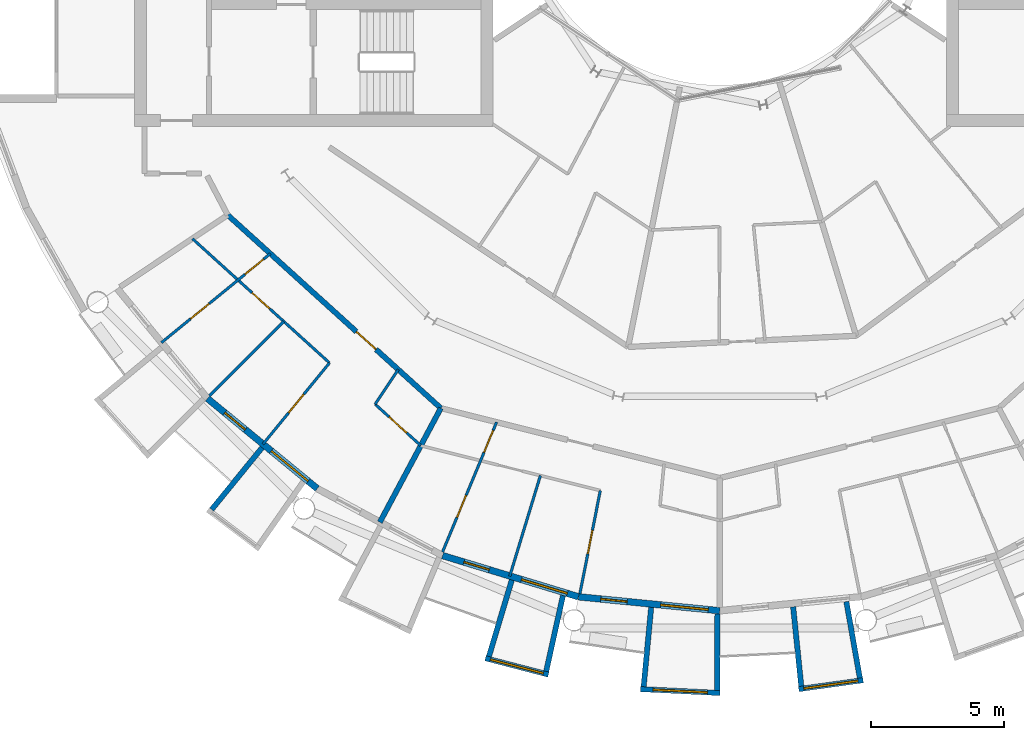
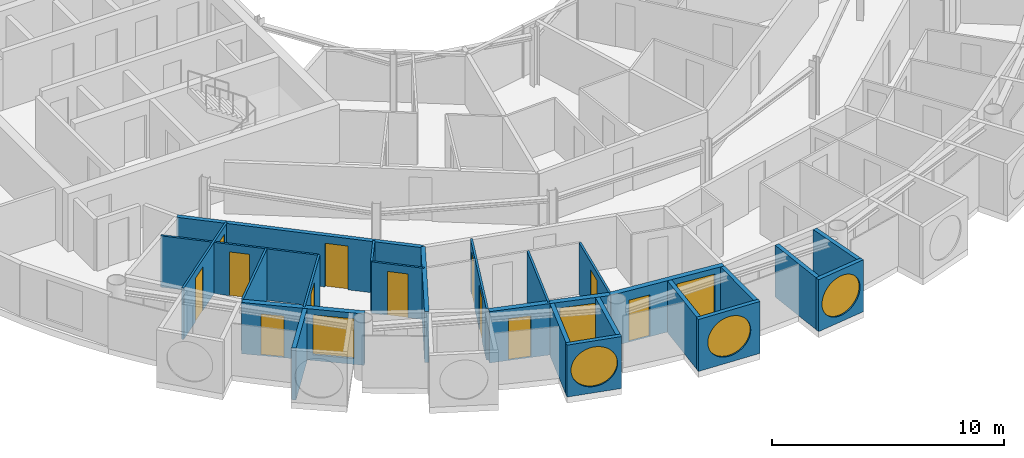
# One storey, part 15 of 29: 24 walls, 12 doors, 6 windows, 18 openings.
"""IFC4 building model written with IfcOpenShell, lengths in metres."""

from ifc_helpers import new_model, si_unit, direction, frame, frame_2d, origin, place, context, subcontext, project, spatial, rectangle, circle, extrude, material, layer, layer_set, type_object, element, fill, save


model = new_model("IFC4")

# Units and contexts
model_context = context("Model", 3, precision=1e-05, world=origin(), true_north=direction((0.0, 1.0)))
body_context = subcontext(model_context, "Body", "Model", "MODEL_VIEW")
ifc_project = project(units=[si_unit("LENGTHUNIT", "METRE"), si_unit("AREAUNIT", "SQUARE_METRE"), si_unit("VOLUMEUNIT", "CUBIC_METRE"), si_unit("PLANEANGLEUNIT", "RADIAN"), si_unit("MASSUNIT", "GRAM", prefix="KILO")], contexts=[model_context])

# Site, building, storey
site_placement = place(None, origin())
site = spatial("IfcSite", under=ifc_project, at=site_placement, CompositionType="ELEMENT")
building_placement = place(site_placement, origin())
building = spatial("IfcBuilding", under=site, at=building_placement, Name="Maasbend Ring Residences", CompositionType="ELEMENT")
storey_placement = place(building_placement, frame((0.0, 0.0, 190.199951171875)))
storey = spatial("IfcBuildingStorey", under=building, at=storey_placement, Name="L54", CompositionType="ELEMENT", Elevation=190.199951171875)

# Wall, opening, door
ifc_material_1 = material(Name="Concrete C30/37", Category="concrete")
ifc_layer_1 = layer(ifc_material_1, 0.199951171875)
ifc_layer_set_1 = layer_set([ifc_layer_1], Name="Concrete C30/37")
wall_type_1 = type_object("IfcWallType", Name="CORRIDOR WALL 200 CONCRETE", PredefinedType="PARTITIONING", material=ifc_layer_set_1)
wall_1_placement = place(storey_placement, frame((-18.5419921875, -12.388916015625, 0.0), z_axis=(0.0, 0.0, 1.0), x_axis=(0.74093897184, -0.671572363941, 0.0)))
wall_1 = element("IfcWall", 1, at=wall_1_placement, inside=storey, type_object=wall_type_1, Name="U-L54-w013", PredefinedType="PARTITIONING", context=body_context, shape_type="SweptSolid", body=[
    extrude(rectangle(XDim=10.84033203125, YDim=0.199951171875, at=frame_2d((5.420166015625, 0.0))), origin(), (0.0, 0.0, 1.0), 2.699951171875),
])
opening_1_placement = place(wall_1_placement, frame((6.5439453125, 0.0, 0.0)))
opening_1 = element("IfcOpeningElement", 2, at=opening_1_placement, cuts=wall_1, Name="Opening D-5436", PredefinedType="OPENING", context=body_context, shape_type="SweptSolid", body=[
    extrude(rectangle(XDim=1.0, YDim=2.300048828125, at=frame_2d((0.5, 1.14990234375))), frame((0.0, 0.10986328125, 0.0), z_axis=(0.0, -1.0, 0.0), x_axis=(1.0, 0.0, 0.0)), (0.0, 0.0, 1.0), 0.219970703125),
])
ifc_material_2 = material(Name="Timber, fire-rated, painted", Category="wood")
door_type_1 = type_object("IfcDoorType", Name="FLAT ENTRANCE DOOR 1000 X 2300 FIRE-RATED", OperationType="NOTDEFINED", PredefinedType="DOOR", material=ifc_material_2)
door_1_placement = place(opening_1_placement, origin())
door_1 = element("IfcDoor", 3, at=door_1_placement, inside=storey, type_object=door_type_1, Name="D-5436", OperationType="SINGLE_SWING_RIGHT", OverallHeight=2.300048828125, OverallWidth=1.0, PredefinedType="DOOR", context=body_context, shape_type="SweptSolid", body=[
    extrude(rectangle(XDim=1.0, YDim=2.300048828125, at=frame_2d((0.5, 1.14990234375))), frame((0.0, 0.02490234375, 0.0), z_axis=(0.0, -1.0, 0.0), x_axis=(1.0, 0.0, 0.0)), (0.0, 0.0, 1.0), 0.050048828125),
])
fill(opening_1, door_1)

# Wall
ifc_material_3 = material(Name="Pale anodised aluminium panel", Category="aluminium")
ifc_layer_2 = layer(ifc_material_3, 0.199951171875)
ifc_layer_set_2 = layer_set([ifc_layer_2], Name="EW-BOX")
wall_type_2 = type_object("IfcWallType", Name="EW-BOX", PredefinedType="SOLIDWALL", material=ifc_layer_set_2)
wall_2_placement = place(storey_placement, frame((-17.24609375, -21.155029296875, -0.030029296875), z_axis=(0.0, 0.0, 1.0), x_axis=(-0.631741648902, -0.775179004516, 0.0)))
element("IfcWall", 4, at=wall_2_placement, inside=storey, type_object=wall_type_2, Name="Box side wall S04 left", PredefinedType="SOLIDWALL", context=body_context, shape_type="SweptSolid", body=[
    extrude(rectangle(XDim=3.005859375, YDim=0.199951171875, at=frame_2d((1.5029296875, 0.0))), origin(), (0.0, 0.0, 1.0), 2.72998046875),
])

# Wall, opening, window
wall_3_placement = place(storey_placement, frame((-8.8291015625, -29.090087890625, -0.030029296875), z_axis=(0.0, 0.0, 1.0), x_axis=(0.96789536872, -0.251353446784, 0.0)))
wall_3 = element("IfcWall", 5, at=wall_3_placement, inside=storey, type_object=wall_type_2, Name="Box front S08", PredefinedType="SOLIDWALL", context=body_context, shape_type="SweptSolid", body=[
    extrude(rectangle(XDim=2.44677734375, YDim=0.199951171875, at=frame_2d((1.223388671875, 0.0))), origin(), (0.0, 0.0, 1.0), 2.72998046875),
])
opening_2_placement = place(wall_3_placement, frame((0.182861328125, 0.0, 0.330078125)))
opening_2 = element("IfcOpeningElement", 6, at=opening_2_placement, cuts=wall_3, Name="Opening W-RD", PredefinedType="OPENING", context=body_context, shape_type="SweptSolid", body=[
    extrude(circle(Radius=1.0400390625, at=frame_2d((1.0400390625, 1.0400390625))), frame((0.0, 0.10986328125, 0.0), z_axis=(0.0, -1.0, 0.0), x_axis=(1.0, 0.0, 0.0)), (0.0, 0.0, 1.0), 0.219970703125),
])
ifc_material_4 = material(Name="Aluminium and clear glass", Category="aluminium")
window_type_1 = type_object("IfcWindowType", Name="W-RD", PartitioningType="SINGLE_PANEL", PredefinedType="WINDOW", material=ifc_material_4)
window_1_placement = place(opening_2_placement, origin())
window_1 = element("IfcWindow", 7, at=window_1_placement, inside=storey, type_object=window_type_1, Name="Round window S08", OverallHeight=2.080078125, OverallWidth=2.080078125, PartitioningType="SINGLE_PANEL", PredefinedType="WINDOW", context=body_context, shape_type="SweptSolid", body=[
    extrude(circle(Radius=1.0400390625, at=frame_2d((1.0400390625, 1.0400390625))), frame((0.0, 0.030029296875, 0.0), z_axis=(0.0, -1.0, 0.0), x_axis=(1.0, 0.0, 0.0)), (0.0, 0.0, 1.0), 0.06005859375),
])
fill(opening_2, window_1)

# Walls
wall_4_placement = place(storey_placement, frame((-7.8369140625, -26.14404296875, -0.030029296875), z_axis=(0.0, 0.0, 1.0), x_axis=(-0.287064767992, -0.957911174889, 0.0)))
element("IfcWall", 8, at=wall_4_placement, inside=storey, type_object=wall_type_2, Name="Box side wall S08 left", PredefinedType="SOLIDWALL", context=body_context, shape_type="SweptSolid", body=[
    extrude(rectangle(XDim=3.00634765625, YDim=0.199951171875, at=frame_2d((1.503173828125, 0.0))), origin(), (0.0, 0.0, 1.0), 2.72998046875),
])
wall_5_placement = place(storey_placement, frame((-5.908935546875, -26.72900390625, -0.030029296875), z_axis=(0.0, 0.0, 1.0), x_axis=(-0.216409053917, -0.976302781612, 0.0)))
element("IfcWall", 9, at=wall_5_placement, inside=storey, type_object=wall_type_2, Name="Box side wall S08 right", PredefinedType="SOLIDWALL", context=body_context, shape_type="SweptSolid", body=[
    extrude(rectangle(XDim=2.92529296875, YDim=0.199951171875, at=frame_2d((1.462646484375, 0.0))), origin(), (0.0, 0.0, 1.0), 2.72998046875),
])

# Wall, opening, window
wall_6_placement = place(storey_placement, frame((-2.985107421875, -30.2529296875, -0.030029296875), z_axis=(0.0, 0.0, 1.0), x_axis=(0.998794083011, -0.049095618353, 0.0)))
wall_6 = element("IfcWall", 10, at=wall_6_placement, inside=storey, type_object=wall_type_2, Name="Box front S10", PredefinedType="SOLIDWALL", context=body_context, shape_type="SweptSolid", body=[
    extrude(rectangle(XDim=2.99365234375, YDim=0.199951171875, at=frame_2d((1.496826171875, 0.0))), origin(), (0.0, 0.0, 1.0), 2.72998046875),
])
opening_3_placement = place(wall_6_placement, frame((0.45654296875, 0.0, 0.330078125)))
opening_3 = element("IfcOpeningElement", 11, at=opening_3_placement, cuts=wall_6, Name="Opening W-RD", PredefinedType="OPENING", context=body_context, shape_type="SweptSolid", body=[
    extrude(circle(Radius=1.0400390625, at=frame_2d((1.0400390625, 1.0400390625))), frame((0.0, 0.10986328125, 0.0), z_axis=(0.0, -1.0, 0.0), x_axis=(1.0, 0.0, 0.0)), (0.0, 0.0, 1.0), 0.219970703125),
])
window_2_placement = place(opening_3_placement, origin())
window_2 = element("IfcWindow", 12, at=window_2_placement, inside=storey, type_object=window_type_1, Name="Round window S10", OverallHeight=2.080078125, OverallWidth=2.080078125, PartitioningType="SINGLE_PANEL", PredefinedType="WINDOW", context=body_context, shape_type="SweptSolid", body=[
    extrude(circle(Radius=1.0400390625, at=frame_2d((1.0400390625, 1.0400390625))), frame((0.0, 0.030029296875, 0.0), z_axis=(0.0, -1.0, 0.0), x_axis=(1.0, 0.0, 0.0)), (0.0, 0.0, 1.0), 0.06005859375),
])
fill(opening_3, window_2)

# Walls
wall_7_placement = place(storey_placement, frame((-2.5859375, -27.1708984375, -0.030029296875), z_axis=(0.0, 0.0, 1.0), x_axis=(-0.094548432284, -0.995520262954, 0.0)))
element("IfcWall", 13, at=wall_7_placement, inside=storey, type_object=wall_type_2, Name="Box side wall S10 left", PredefinedType="SOLIDWALL", context=body_context, shape_type="SweptSolid", body=[
    extrude(rectangle(XDim=3.005615234375, YDim=0.199951171875, at=frame_2d((1.5029296875, 0.0))), origin(), (0.0, 0.0, 1.0), 2.72998046875),
])
wall_8_placement = place(storey_placement, frame((-0.090087890625, -27.4169921875, -0.030029296875), z_axis=(0.0, 0.0, 1.0), x_axis=(-0.00347308367, -0.999993968827, 0.0)))
element("IfcWall", 14, at=wall_8_placement, inside=storey, type_object=wall_type_2, Name="Box side wall S10 right", PredefinedType="SOLIDWALL", context=body_context, shape_type="SweptSolid", body=[
    extrude(rectangle(XDim=2.882080078125, YDim=0.199951171875, at=frame_2d((1.44091796875, 0.0))), origin(), (0.0, 0.0, 1.0), 2.72998046875),
])

# Wall, opening, window
wall_9_placement = place(storey_placement, frame((2.97607421875, -30.25390625, -0.030029296875), z_axis=(0.0, 0.0, 1.0), x_axis=(0.990462016113, 0.137786046596, 0.0)))
wall_9 = element("IfcWall", 15, at=wall_9_placement, inside=storey, type_object=wall_type_2, Name="Box front S12", PredefinedType="SOLIDWALL", context=body_context, shape_type="SweptSolid", body=[
    extrude(rectangle(XDim=2.4453125, YDim=0.199951171875, at=frame_2d((1.22265625, 0.0))), origin(), (0.0, 0.0, 1.0), 2.72998046875),
])
opening_4_placement = place(wall_9_placement, frame((0.182861328125, 0.0, 0.330078125)))
opening_4 = element("IfcOpeningElement", 16, at=opening_4_placement, cuts=wall_9, Name="Opening W-RD", PredefinedType="OPENING", context=body_context, shape_type="SweptSolid", body=[
    extrude(circle(Radius=1.0400390625, at=frame_2d((1.0400390625, 1.0400390625))), frame((0.0, 0.10986328125, 0.0), z_axis=(0.0, -1.0, 0.0), x_axis=(1.0, 0.0, 0.0)), (0.0, 0.0, 1.0), 0.219970703125),
])
window_3_placement = place(opening_4_placement, origin())
window_3 = element("IfcWindow", 17, at=window_3_placement, inside=storey, type_object=window_type_1, Name="Round window S12", OverallHeight=2.080078125, OverallWidth=2.080078125, PartitioningType="SINGLE_PANEL", PredefinedType="WINDOW", context=body_context, shape_type="SweptSolid", body=[
    extrude(circle(Radius=1.0400390625, at=frame_2d((1.0400390625, 1.0400390625))), frame((0.0, 0.030029296875, 0.0), z_axis=(0.0, -1.0, 0.0), x_axis=(1.0, 0.0, 0.0)), (0.0, 0.0, 1.0), 0.06005859375),
])
fill(opening_4, window_3)

# Walls
wall_10_placement = place(storey_placement, frame((2.763916015625, -27.153076171875, -0.030029296875), z_axis=(0.0, 0.0, 1.0), x_axis=(0.101505487237, -0.994834979311, 0.0)))
element("IfcWall", 18, at=wall_10_placement, inside=storey, type_object=wall_type_2, Name="Box side wall S12 left", PredefinedType="SOLIDWALL", context=body_context, shape_type="SweptSolid", body=[
    extrude(rectangle(XDim=3.006591796875, YDim=0.199951171875, at=frame_2d((1.50341796875, 0.0))), origin(), (0.0, 0.0, 1.0), 2.72998046875),
])
wall_11_placement = place(storey_placement, frame((4.76904296875, -26.9560546875, -0.030029296875), z_axis=(0.0, 0.0, 1.0), x_axis=(0.174056778901, -0.984735618183, 0.0)))
element("IfcWall", 19, at=wall_11_placement, inside=storey, type_object=wall_type_2, Name="Box side wall S12 right", PredefinedType="SOLIDWALL", context=body_context, shape_type="SweptSolid", body=[
    extrude(rectangle(XDim=2.924560546875, YDim=0.199951171875, at=frame_2d((1.46240234375, 0.0))), origin(), (0.0, 0.0, 1.0), 2.72998046875),
])

# Wall, openings, door, window
ifc_material_5 = material(Name="Aluminium clad insulated panel", Category="aluminium")
ifc_layer_3 = layer(ifc_material_5, 0.25)
ifc_layer_set_3 = layer_set([ifc_layer_3], Name="EW-GL")
wall_type_3 = type_object("IfcWallType", Name="EW-GL", PredefinedType="SOLIDWALL", material=ifc_layer_set_3)
wall_12_placement = place(storey_placement, frame((-19.303955078125, -19.303955078125, 0.0), z_axis=(0.0, 0.0, 1.0), x_axis=(0.773019449054, -0.634382322723, 0.0)))
wall_12 = element("IfcWall", 20, at=wall_12_placement, inside=storey, type_object=wall_type_3, Name="External wall S02", PredefinedType="SOLIDWALL", context=body_context, shape_type="SweptSolid", body=[
    extrude(rectangle(XDim=5.351806640625, YDim=0.25, at=frame_2d((2.67578125, 0.0))), origin(), (0.0, 0.0, 1.0), 2.699951171875),
])
opening_5_placement = place(wall_12_placement, frame((0.841064453125, 0.0, 0.0)))
opening_5 = element("IfcOpeningElement", 21, at=opening_5_placement, cuts=wall_12, Name="Opening D-LG", PredefinedType="OPENING", context=body_context, shape_type="SweptSolid", body=[
    extrude(rectangle(XDim=1.0, YDim=2.199951171875, at=frame_2d((0.5, 1.10009765625))), frame((0.0, 0.135009765625, 0.0), z_axis=(0.0, -1.0, 0.0), x_axis=(1.0, 0.0, 0.0)), (0.0, 0.0, 1.0), 0.27001953125),
])
opening_6_placement = place(wall_12_placement, frame((3.110595703125, 0.0, 0.300048828125)))
opening_6 = element("IfcOpeningElement", 22, at=opening_6_placement, cuts=wall_12, Name="Opening W-BX", PredefinedType="OPENING", context=body_context, shape_type="SweptSolid", body=[
    extrude(rectangle(XDim=1.800048828125, YDim=2.10009765625, at=frame_2d((0.89990234375, 1.050048828125))), frame((0.0, 0.135009765625, 0.0), z_axis=(0.0, -1.0, 0.0), x_axis=(1.0, 0.0, 0.0)), (0.0, 0.0, 1.0), 0.27001953125),
])
ifc_material_6 = material(Name="Aluminium and clear glass", Category="aluminium")
door_type_2 = type_object("IfcDoorType", Name="D-LG", OperationType="SINGLE_SWING_LEFT", PredefinedType="DOOR", material=ifc_material_6)
door_2_placement = place(opening_5_placement, origin())
door_2 = element("IfcDoor", 23, at=door_2_placement, inside=storey, type_object=door_type_2, Name="Loggia door S03", OperationType="SINGLE_SWING_LEFT", OverallHeight=2.199951171875, OverallWidth=1.0, PredefinedType="DOOR", context=body_context, shape_type="SweptSolid", body=[
    extrude(rectangle(XDim=1.0, YDim=2.199951171875, at=frame_2d((0.5, 1.10009765625))), frame((0.0, 0.02490234375, 0.0), z_axis=(0.0, -1.0, 0.0), x_axis=(1.0, 0.0, 0.0)), (0.0, 0.0, 1.0), 0.050048828125),
])
fill(opening_5, door_2)
ifc_material_7 = material(Name="Aluminium and clear glass", Category="aluminium")
window_type_2 = type_object("IfcWindowType", Name="W-BX", PartitioningType="DOUBLE_PANEL_VERTICAL", PredefinedType="WINDOW", material=ifc_material_7)
window_4_placement = place(opening_6_placement, origin())
window_4 = element("IfcWindow", 24, at=window_4_placement, inside=storey, type_object=window_type_2, Name="Window S04 room to box", OverallHeight=2.10009765625, OverallWidth=1.800048828125, PartitioningType="SINGLE_PANEL", PredefinedType="WINDOW", context=body_context, shape_type="SweptSolid", body=[
    extrude(rectangle(XDim=1.800048828125, YDim=2.10009765625, at=frame_2d((0.89990234375, 1.050048828125))), frame((0.0, 0.030029296875, 0.0), z_axis=(0.0, -1.0, 0.0), x_axis=(1.0, 0.0, 0.0)), (0.0, 0.0, 1.0), 0.06005859375),
])
fill(opening_6, window_4)

wall_13_placement = place(storey_placement, frame((-10.447021484375, -25.221923828125, 0.0), z_axis=(0.0, 0.0, 1.0), x_axis=(0.956965678721, -0.290201119486, 0.0)))
wall_13 = element("IfcWall", 25, at=wall_13_placement, inside=storey, type_object=wall_type_3, Name="External wall S04", PredefinedType="SOLIDWALL", context=body_context, shape_type="SweptSolid", body=[
    extrude(rectangle(XDim=5.351318359375, YDim=0.25, at=frame_2d((2.67578125, 0.0))), origin(), (0.0, 0.0, 1.0), 2.699951171875),
])
opening_7_placement = place(wall_13_placement, frame((0.841064453125, 0.0, 0.0)))
opening_7 = element("IfcOpeningElement", 26, at=opening_7_placement, cuts=wall_13, Name="Opening D-LG", PredefinedType="OPENING", context=body_context, shape_type="SweptSolid", body=[
    extrude(rectangle(XDim=1.0, YDim=2.199951171875, at=frame_2d((0.5, 1.10009765625))), frame((0.0, 0.135009765625, 0.0), z_axis=(0.0, -1.0, 0.0), x_axis=(1.0, 0.0, 0.0)), (0.0, 0.0, 1.0), 0.27001953125),
])
opening_8_placement = place(wall_13_placement, frame((3.110595703125, 0.0, 0.300048828125)))
opening_8 = element("IfcOpeningElement", 27, at=opening_8_placement, cuts=wall_13, Name="Opening W-BX", PredefinedType="OPENING", context=body_context, shape_type="SweptSolid", body=[
    extrude(rectangle(XDim=1.800048828125, YDim=2.10009765625, at=frame_2d((0.89990234375, 1.050048828125))), frame((0.0, 0.135009765625, 0.0), z_axis=(0.0, -1.0, 0.0), x_axis=(1.0, 0.0, 0.0)), (0.0, 0.0, 1.0), 0.27001953125),
])
door_3_placement = place(opening_7_placement, origin())
door_3 = element("IfcDoor", 28, at=door_3_placement, inside=storey, type_object=door_type_2, Name="Loggia door S07", OperationType="SINGLE_SWING_LEFT", OverallHeight=2.199951171875, OverallWidth=1.0, PredefinedType="DOOR", context=body_context, shape_type="SweptSolid", body=[
    extrude(rectangle(XDim=1.0, YDim=2.199951171875, at=frame_2d((0.5, 1.10009765625))), frame((0.0, 0.02490234375, 0.0), z_axis=(0.0, -1.0, 0.0), x_axis=(1.0, 0.0, 0.0)), (0.0, 0.0, 1.0), 0.050048828125),
])
fill(opening_7, door_3)
window_5_placement = place(opening_8_placement, origin())
window_5 = element("IfcWindow", 29, at=window_5_placement, inside=storey, type_object=window_type_2, Name="Window S08 room to box", OverallHeight=2.10009765625, OverallWidth=1.800048828125, PartitioningType="SINGLE_PANEL", PredefinedType="WINDOW", context=body_context, shape_type="SweptSolid", body=[
    extrude(rectangle(XDim=1.800048828125, YDim=2.10009765625, at=frame_2d((0.89990234375, 1.050048828125))), frame((0.0, 0.030029296875, 0.0), z_axis=(0.0, -1.0, 0.0), x_axis=(1.0, 0.0, 0.0)), (0.0, 0.0, 1.0), 0.06005859375),
])
fill(opening_8, window_5)

wall_14_placement = place(storey_placement, frame((-5.325927734375, -26.77490234375, 0.0), z_axis=(0.0, 0.0, 1.0), x_axis=(0.995173996315, -0.098126026407, 0.0)))
wall_14 = element("IfcWall", 30, at=wall_14_placement, inside=storey, type_object=wall_type_3, Name="External wall S05", PredefinedType="SOLIDWALL", context=body_context, shape_type="SweptSolid", body=[
    extrude(rectangle(XDim=5.351806640625, YDim=0.25, at=frame_2d((2.67578125, 0.0))), origin(), (0.0, 0.0, 1.0), 2.699951171875),
])
opening_9_placement = place(wall_14_placement, frame((0.841064453125, 0.0, 0.0)))
opening_9 = element("IfcOpeningElement", 31, at=opening_9_placement, cuts=wall_14, Name="Opening D-LG", PredefinedType="OPENING", context=body_context, shape_type="SweptSolid", body=[
    extrude(rectangle(XDim=1.0, YDim=2.199951171875, at=frame_2d((0.5, 1.10009765625))), frame((0.0, 0.135009765625, 0.0), z_axis=(0.0, -1.0, 0.0), x_axis=(1.0, 0.0, 0.0)), (0.0, 0.0, 1.0), 0.27001953125),
])
opening_10_placement = place(wall_14_placement, frame((3.110595703125, 0.0, 0.300048828125)))
opening_10 = element("IfcOpeningElement", 32, at=opening_10_placement, cuts=wall_14, Name="Opening W-BX", PredefinedType="OPENING", context=body_context, shape_type="SweptSolid", body=[
    extrude(rectangle(XDim=1.800048828125, YDim=2.10009765625, at=frame_2d((0.89990234375, 1.050048828125))), frame((0.0, 0.135009765625, 0.0), z_axis=(0.0, -1.0, 0.0), x_axis=(1.0, 0.0, 0.0)), (0.0, 0.0, 1.0), 0.27001953125),
])
door_4_placement = place(opening_9_placement, origin())
door_4 = element("IfcDoor", 33, at=door_4_placement, inside=storey, type_object=door_type_2, Name="Loggia door S09", OperationType="SINGLE_SWING_LEFT", OverallHeight=2.199951171875, OverallWidth=1.0, PredefinedType="DOOR", context=body_context, shape_type="SweptSolid", body=[
    extrude(rectangle(XDim=1.0, YDim=2.199951171875, at=frame_2d((0.5, 1.10009765625))), frame((0.0, 0.02490234375, 0.0), z_axis=(0.0, -1.0, 0.0), x_axis=(1.0, 0.0, 0.0)), (0.0, 0.0, 1.0), 0.050048828125),
])
fill(opening_9, door_4)
window_6_placement = place(opening_10_placement, origin())
window_6 = element("IfcWindow", 34, at=window_6_placement, inside=storey, type_object=window_type_2, Name="Window S10 room to box", OverallHeight=2.10009765625, OverallWidth=1.800048828125, PartitioningType="SINGLE_PANEL", PredefinedType="WINDOW", context=body_context, shape_type="SweptSolid", body=[
    extrude(rectangle(XDim=1.800048828125, YDim=2.10009765625, at=frame_2d((0.89990234375, 1.050048828125))), frame((0.0, 0.030029296875, 0.0), z_axis=(0.0, -1.0, 0.0), x_axis=(1.0, 0.0, 0.0)), (0.0, 0.0, 1.0), 0.06005859375),
])
fill(opening_10, window_6)

# Wall, opening, door
ifc_material_8 = material(Name="Gypsum board on steel studs", Category="steel")
ifc_layer_4 = layer(ifc_material_8, 0.10009765625)
ifc_layer_set_4 = layer_set([ifc_layer_4], Name="PARTITION 100 GYPSUM")
wall_type_4 = type_object("IfcWallType", Name="PARTITION 100 GYPSUM", PredefinedType="PARTITIONING", material=ifc_layer_set_4)
wall_15_placement = place(storey_placement, frame((-19.868896484375, -13.283935546875, 0.0), z_axis=(0.0, 0.0, 1.0), x_axis=(0.741104058203, -0.67139018083, 0.0)))
wall_15 = element("IfcWall", 35, at=wall_15_placement, inside=storey, type_object=wall_type_4, Name="U-L54-w001", PredefinedType="PARTITIONING", context=body_context, shape_type="SweptSolid", body=[
    extrude(rectangle(XDim=6.968994140625, YDim=0.10009765625, at=frame_2d((3.484375, 0.0))), origin(), (0.0, 0.0, 1.0), 2.699951171875),
])
opening_11_placement = place(wall_15_placement, frame((3.028076171875, 0.0, 0.0)))
opening_11 = element("IfcOpeningElement", 36, at=opening_11_placement, cuts=wall_15, Name="Opening D-5440", PredefinedType="OPENING", context=body_context, shape_type="SweptSolid", body=[
    extrude(rectangle(XDim=0.89990234375, YDim=2.300048828125, at=frame_2d((0.449951171875, 1.14990234375))), frame((0.0, 0.06005859375, 0.0), z_axis=(0.0, -1.0, 0.0), x_axis=(1.0, 0.0, 0.0)), (0.0, 0.0, 1.0), 0.1201171875),
])
ifc_material_9 = material(Name="Timber, painted", Category="wood")
door_type_3 = type_object("IfcDoorType", Name="INTERNAL DOOR 900 X 2300", OperationType="NOTDEFINED", PredefinedType="DOOR", material=ifc_material_9)
door_5_placement = place(opening_11_placement, origin())
door_5 = element("IfcDoor", 37, at=door_5_placement, inside=storey, type_object=door_type_3, Name="D-5440", OperationType="SINGLE_SWING_LEFT", OverallHeight=2.300048828125, OverallWidth=0.89990234375, PredefinedType="DOOR", context=body_context, shape_type="SweptSolid", body=[
    extrude(rectangle(XDim=0.89990234375, YDim=2.300048828125, at=frame_2d((0.449951171875, 1.14990234375))), frame((0.0, 0.02490234375, 0.0), z_axis=(0.0, -1.0, 0.0), x_axis=(1.0, 0.0, 0.0)), (0.0, 0.0, 1.0), 0.050048828125),
])
fill(opening_11, door_5)

wall_16_placement = place(storey_placement, frame((-12.988037109375, -19.51806640625, 0.0), z_axis=(0.0, 0.0, 1.0), x_axis=(0.741132356378, -0.671358942988, 0.0)))
wall_16 = element("IfcWall", 38, at=wall_16_placement, inside=storey, type_object=wall_type_4, Name="U-L54-w002", PredefinedType="PARTITIONING", context=body_context, shape_type="SweptSolid", body=[
    extrude(rectangle(XDim=2.323486328125, YDim=0.10009765625, at=frame_2d((1.16162109375, 0.0))), origin(), (0.0, 0.0, 1.0), 2.699951171875),
])
opening_12_placement = place(wall_16_placement, frame((0.7119140625, 0.0, 0.0)))
opening_12 = element("IfcOpeningElement", 39, at=opening_12_placement, cuts=wall_16, Name="Opening D-5437", PredefinedType="OPENING", context=body_context, shape_type="SweptSolid", body=[
    extrude(rectangle(XDim=0.89990234375, YDim=2.300048828125, at=frame_2d((0.449951171875, 1.14990234375))), frame((0.0, 0.06005859375, 0.0), z_axis=(0.0, -1.0, 0.0), x_axis=(1.0, 0.0, 0.0)), (0.0, 0.0, 1.0), 0.1201171875),
])
door_6_placement = place(opening_12_placement, origin())
door_6 = element("IfcDoor", 40, at=door_6_placement, inside=storey, type_object=door_type_3, Name="D-5437", OperationType="SINGLE_SWING_RIGHT", OverallHeight=2.300048828125, OverallWidth=0.89990234375, PredefinedType="DOOR", context=body_context, shape_type="SweptSolid", body=[
    extrude(rectangle(XDim=0.89990234375, YDim=2.300048828125, at=frame_2d((0.449951171875, 1.14990234375))), frame((0.0, 0.02490234375, 0.0), z_axis=(0.0, -1.0, 0.0), x_axis=(1.0, 0.0, 0.0)), (0.0, 0.0, 1.0), 0.050048828125),
])
fill(opening_12, door_6)

# Wall, openings, doors
wall_17_placement = place(storey_placement, frame((-21.0400390625, -17.198974609375, 0.0), z_axis=(0.0, 0.0, 1.0), x_axis=(0.774310172558, 0.632806255241, 0.0)))
wall_17 = element("IfcWall", 41, at=wall_17_placement, inside=storey, type_object=wall_type_4, Name="U-L54-w034", PredefinedType="PARTITIONING", context=body_context, shape_type="SweptSolid", body=[
    extrude(rectangle(XDim=5.30029296875, YDim=0.10009765625, at=frame_2d((2.650146484375, 0.0))), origin(), (0.0, 0.0, 1.0), 2.699951171875),
])
opening_13_placement = place(wall_17_placement, frame((4.06591796875, 0.0, 0.0)))
opening_13 = element("IfcOpeningElement", 42, at=opening_13_placement, cuts=wall_17, Name="Opening D-5438", PredefinedType="OPENING", context=body_context, shape_type="SweptSolid", body=[
    extrude(rectangle(XDim=0.89990234375, YDim=2.300048828125, at=frame_2d((0.449951171875, 1.14990234375))), frame((0.0, 0.06005859375, 0.0), z_axis=(0.0, -1.0, 0.0), x_axis=(1.0, 0.0, 0.0)), (0.0, 0.0, 1.0), 0.1201171875),
])
opening_14_placement = place(wall_17_placement, frame((1.416015625, 0.0, 0.0)))
opening_14 = element("IfcOpeningElement", 43, at=opening_14_placement, cuts=wall_17, Name="Opening D-5441", PredefinedType="OPENING", context=body_context, shape_type="SweptSolid", body=[
    extrude(rectangle(XDim=0.89990234375, YDim=2.300048828125, at=frame_2d((0.449951171875, 1.14990234375))), frame((0.0, 0.06005859375, 0.0), z_axis=(0.0, -1.0, 0.0), x_axis=(1.0, 0.0, 0.0)), (0.0, 0.0, 1.0), 0.1201171875),
])
door_7_placement = place(opening_13_placement, origin())
door_7 = element("IfcDoor", 44, at=door_7_placement, inside=storey, type_object=door_type_3, Name="D-5438", OperationType="SINGLE_SWING_RIGHT", OverallHeight=2.300048828125, OverallWidth=0.89990234375, PredefinedType="DOOR", context=body_context, shape_type="SweptSolid", body=[
    extrude(rectangle(XDim=0.89990234375, YDim=2.300048828125, at=frame_2d((0.449951171875, 1.14990234375))), frame((0.0, 0.02490234375, 0.0), z_axis=(0.0, -1.0, 0.0), x_axis=(1.0, 0.0, 0.0)), (0.0, 0.0, 1.0), 0.050048828125),
])
fill(opening_13, door_7)
door_8_placement = place(opening_14_placement, origin())
door_8 = element("IfcDoor", 45, at=door_8_placement, inside=storey, type_object=door_type_3, Name="D-5441", OperationType="SINGLE_SWING_LEFT", OverallHeight=2.300048828125, OverallWidth=0.89990234375, PredefinedType="DOOR", context=body_context, shape_type="SweptSolid", body=[
    extrude(rectangle(XDim=0.89990234375, YDim=2.300048828125, at=frame_2d((0.449951171875, 1.14990234375))), frame((0.0, 0.02490234375, 0.0), z_axis=(0.0, -1.0, 0.0), x_axis=(1.0, 0.0, 0.0)), (0.0, 0.0, 1.0), 0.050048828125),
])
fill(opening_14, door_8)

# Wall
wall_18_placement = place(storey_placement, frame((-19.23095703125, -19.199951171875, 0.0), z_axis=(0.0, 0.0, 1.0), x_axis=(0.707722727509, 0.706490297858, 0.0)))
element("IfcWall", 46, at=wall_18_placement, inside=storey, type_object=wall_type_4, Name="U-L54-w036", PredefinedType="PARTITIONING", context=body_context, shape_type="SweptSolid", body=[
    extrude(rectangle(XDim=3.9619140625, YDim=0.10009765625, at=frame_2d((1.98095703125, 0.0))), origin(), (0.0, 0.0, 1.0), 2.699951171875),
])

# Wall, opening, door
wall_19_placement = place(storey_placement, frame((-17.216064453125, -21.02587890625, 0.0), z_axis=(0.0, 0.0, 1.0), x_axis=(0.633590098448, 0.773668913133, 0.0)))
wall_19 = element("IfcWall", 47, at=wall_19_placement, inside=storey, type_object=wall_type_4, Name="U-L54-w039", PredefinedType="PARTITIONING", context=body_context, shape_type="SweptSolid", body=[
    extrude(rectangle(XDim=3.961669921875, YDim=0.10009765625, at=frame_2d((1.98095703125, 0.0))), origin(), (0.0, 0.0, 1.0), 2.699951171875),
])
opening_15_placement = place(wall_19_placement, frame((1.531005859375, 0.0, 0.0)))
opening_15 = element("IfcOpeningElement", 48, at=opening_15_placement, cuts=wall_19, Name="Opening D-5439", PredefinedType="OPENING", context=body_context, shape_type="SweptSolid", body=[
    extrude(rectangle(XDim=0.89990234375, YDim=2.300048828125, at=frame_2d((0.449951171875, 1.14990234375))), frame((0.0, 0.06005859375, 0.0), z_axis=(0.0, -1.0, 0.0), x_axis=(1.0, 0.0, 0.0)), (0.0, 0.0, 1.0), 0.1201171875),
])
door_9_placement = place(opening_15_placement, origin())
door_9 = element("IfcDoor", 49, at=door_9_placement, inside=storey, type_object=door_type_3, Name="D-5439", OperationType="SINGLE_SWING_RIGHT", OverallHeight=2.300048828125, OverallWidth=0.89990234375, PredefinedType="DOOR", context=body_context, shape_type="SweptSolid", body=[
    extrude(rectangle(XDim=0.89990234375, YDim=2.300048828125, at=frame_2d((0.449951171875, 1.14990234375))), frame((0.0, 0.02490234375, 0.0), z_axis=(0.0, -1.0, 0.0), x_axis=(1.0, 0.0, 0.0)), (0.0, 0.0, 1.0), 0.050048828125),
])
fill(opening_15, door_9)

# Wall
wall_20_placement = place(storey_placement, frame((-12.988037109375, -19.51806640625, 0.0), z_axis=(0.0, 0.0, 1.0), x_axis=(0.554125989098, 0.832432813028, 0.0)))
element("IfcWall", 50, at=wall_20_placement, inside=storey, type_object=wall_type_4, Name="U-L54-w041", PredefinedType="PARTITIONING", context=body_context, shape_type="SweptSolid", body=[
    extrude(rectangle(XDim=1.5703125, YDim=0.10009765625, at=frame_2d((0.78515625, 0.0))), origin(), (0.0, 0.0, 1.0), 2.699951171875),
])

# Wall, openings, doors
wall_21_placement = place(storey_placement, frame((-10.447021484375, -25.0859375, 0.0), z_axis=(0.0, 0.0, 1.0), x_axis=(0.384363513821, 0.923181828917, 0.0)))
wall_21 = element("IfcWall", 51, at=wall_21_placement, inside=storey, type_object=wall_type_4, Name="U-L54-w044", PredefinedType="PARTITIONING", context=body_context, shape_type="SweptSolid", body=[
    extrude(rectangle(XDim=5.300048828125, YDim=0.10009765625, at=frame_2d((2.64990234375, 0.0))), origin(), (0.0, 0.0, 1.0), 2.699951171875),
])
opening_16_placement = place(wall_21_placement, frame((4.06494140625, 0.0, 0.0)))
opening_16 = element("IfcOpeningElement", 52, at=opening_16_placement, cuts=wall_21, Name="Opening D-5444", PredefinedType="OPENING", context=body_context, shape_type="SweptSolid", body=[
    extrude(rectangle(XDim=0.89990234375, YDim=2.300048828125, at=frame_2d((0.449951171875, 1.14990234375))), frame((0.0, 0.06005859375, 0.0), z_axis=(0.0, -1.0, 0.0), x_axis=(1.0, 0.0, 0.0)), (0.0, 0.0, 1.0), 0.1201171875),
])
opening_17_placement = place(wall_21_placement, frame((1.4150390625, 0.0, 0.0)))
opening_17 = element("IfcOpeningElement", 53, at=opening_17_placement, cuts=wall_21, Name="Opening D-5447", PredefinedType="OPENING", context=body_context, shape_type="SweptSolid", body=[
    extrude(rectangle(XDim=0.89990234375, YDim=2.300048828125, at=frame_2d((0.449951171875, 1.14990234375))), frame((0.0, 0.06005859375, 0.0), z_axis=(0.0, -1.0, 0.0), x_axis=(1.0, 0.0, 0.0)), (0.0, 0.0, 1.0), 0.1201171875),
])
door_10_placement = place(opening_16_placement, origin())
door_10 = element("IfcDoor", 54, at=door_10_placement, inside=storey, type_object=door_type_3, Name="D-5444", OperationType="SINGLE_SWING_RIGHT", OverallHeight=2.300048828125, OverallWidth=0.89990234375, PredefinedType="DOOR", context=body_context, shape_type="SweptSolid", body=[
    extrude(rectangle(XDim=0.89990234375, YDim=2.300048828125, at=frame_2d((0.449951171875, 1.14990234375))), frame((0.0, 0.02490234375, 0.0), z_axis=(0.0, -1.0, 0.0), x_axis=(1.0, 0.0, 0.0)), (0.0, 0.0, 1.0), 0.050048828125),
])
fill(opening_16, door_10)
door_11_placement = place(opening_17_placement, origin())
door_11 = element("IfcDoor", 55, at=door_11_placement, inside=storey, type_object=door_type_3, Name="D-5447", OperationType="SINGLE_SWING_LEFT", OverallHeight=2.300048828125, OverallWidth=0.89990234375, PredefinedType="DOOR", context=body_context, shape_type="SweptSolid", body=[
    extrude(rectangle(XDim=0.89990234375, YDim=2.300048828125, at=frame_2d((0.449951171875, 1.14990234375))), frame((0.0, 0.02490234375, 0.0), z_axis=(0.0, -1.0, 0.0), x_axis=(1.0, 0.0, 0.0)), (0.0, 0.0, 1.0), 0.050048828125),
])
fill(opening_17, door_11)

# Wall
wall_22_placement = place(storey_placement, frame((-7.9140625, -25.9970703125, 0.0), z_axis=(0.0, 0.0, 1.0), x_axis=(0.291291575636, 0.956634317785, 0.0)))
element("IfcWall", 56, at=wall_22_placement, inside=storey, type_object=wall_type_4, Name="U-L54-w048", PredefinedType="PARTITIONING", context=body_context, shape_type="SweptSolid", body=[
    extrude(rectangle(XDim=3.9619140625, YDim=0.10009765625, at=frame_2d((1.98095703125, 0.0))), origin(), (0.0, 0.0, 1.0), 2.699951171875),
])

# Wall, opening, door
wall_23_placement = place(storey_placement, frame((-5.27197265625, -26.658935546875, 0.0), z_axis=(0.0, 0.0, 1.0), x_axis=(0.194089507313, 0.980983824103, 0.0)))
wall_23 = element("IfcWall", 57, at=wall_23_placement, inside=storey, type_object=wall_type_4, Name="U-L54-w054", PredefinedType="PARTITIONING", context=body_context, shape_type="SweptSolid", body=[
    extrude(rectangle(XDim=3.96240234375, YDim=0.10009765625, at=frame_2d((1.981201171875, 0.0))), origin(), (0.0, 0.0, 1.0), 2.699951171875),
])
opening_18_placement = place(wall_23_placement, frame((1.531005859375, 0.0, 0.0)))
opening_18 = element("IfcOpeningElement", 58, at=opening_18_placement, cuts=wall_23, Name="Opening D-5445", PredefinedType="OPENING", context=body_context, shape_type="SweptSolid", body=[
    extrude(rectangle(XDim=0.89990234375, YDim=2.300048828125, at=frame_2d((0.449951171875, 1.14990234375))), frame((0.0, 0.06005859375, 0.0), z_axis=(0.0, -1.0, 0.0), x_axis=(1.0, 0.0, 0.0)), (0.0, 0.0, 1.0), 0.1201171875),
])
door_12_placement = place(opening_18_placement, origin())
door_12 = element("IfcDoor", 59, at=door_12_placement, inside=storey, type_object=door_type_3, Name="D-5445", OperationType="SINGLE_SWING_RIGHT", OverallHeight=2.300048828125, OverallWidth=0.89990234375, PredefinedType="DOOR", context=body_context, shape_type="SweptSolid", body=[
    extrude(rectangle(XDim=0.89990234375, YDim=2.300048828125, at=frame_2d((0.449951171875, 1.14990234375))), frame((0.0, 0.02490234375, 0.0), z_axis=(0.0, -1.0, 0.0), x_axis=(1.0, 0.0, 0.0)), (0.0, 0.0, 1.0), 0.050048828125),
])
fill(opening_18, door_12)

# Wall
ifc_material_10 = material(Name="Concrete C30/37", Category="concrete")
ifc_layer_5 = layer(ifc_material_10, 0.199951171875)
ifc_layer_set_5 = layer_set([ifc_layer_5], Name="Concrete C30/37")
wall_type_5 = type_object("IfcWallType", Name="PARTY WALL 200 CONCRETE", PredefinedType="PARTITIONING", material=ifc_layer_set_5)
wall_24_placement = place(storey_placement, frame((-12.81005859375, -23.966064453125, 0.0), z_axis=(0.0, 0.0, 1.0), x_axis=(0.471427642527, 0.881904744211, 0.0)))
element("IfcWall", 60, at=wall_24_placement, inside=storey, type_object=wall_type_5, Name="U-L54-w043", PredefinedType="PARTITIONING", context=body_context, shape_type="SweptSolid", body=[
    extrude(rectangle(XDim=4.874755859375, YDim=0.199951171875, at=frame_2d((2.4375, 0.0))), origin(), (0.0, 0.0, 1.0), 2.699951171875),
])

save(model, "model.ifc")
